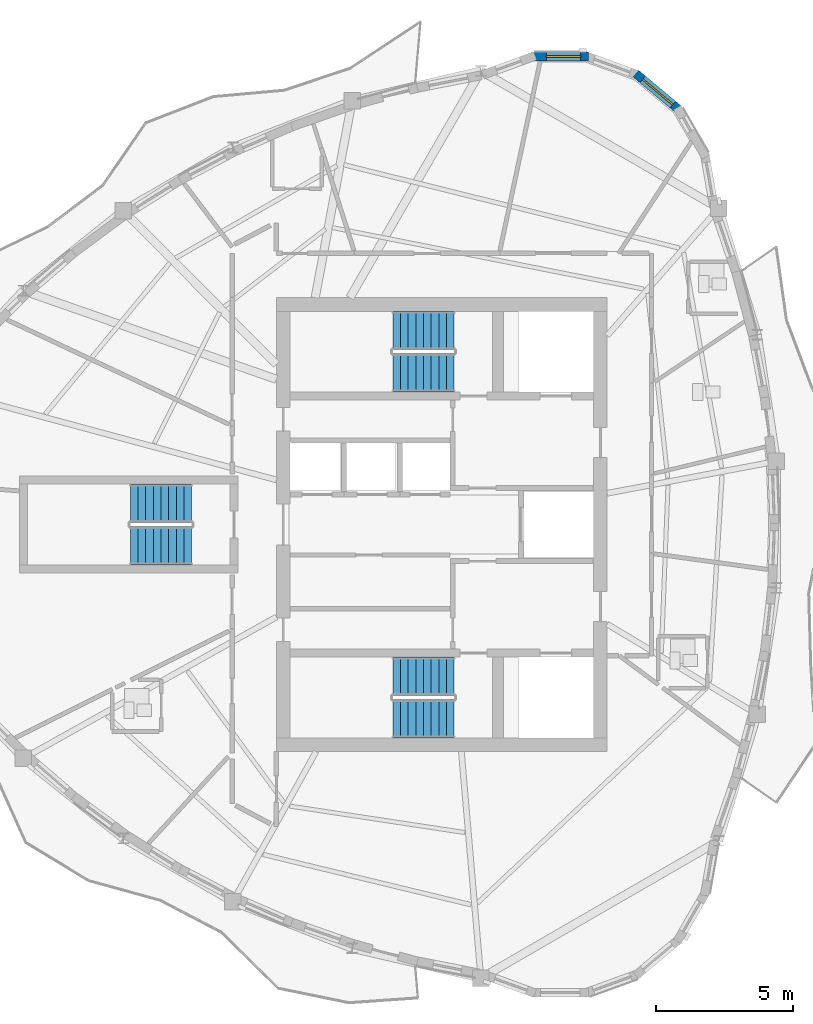
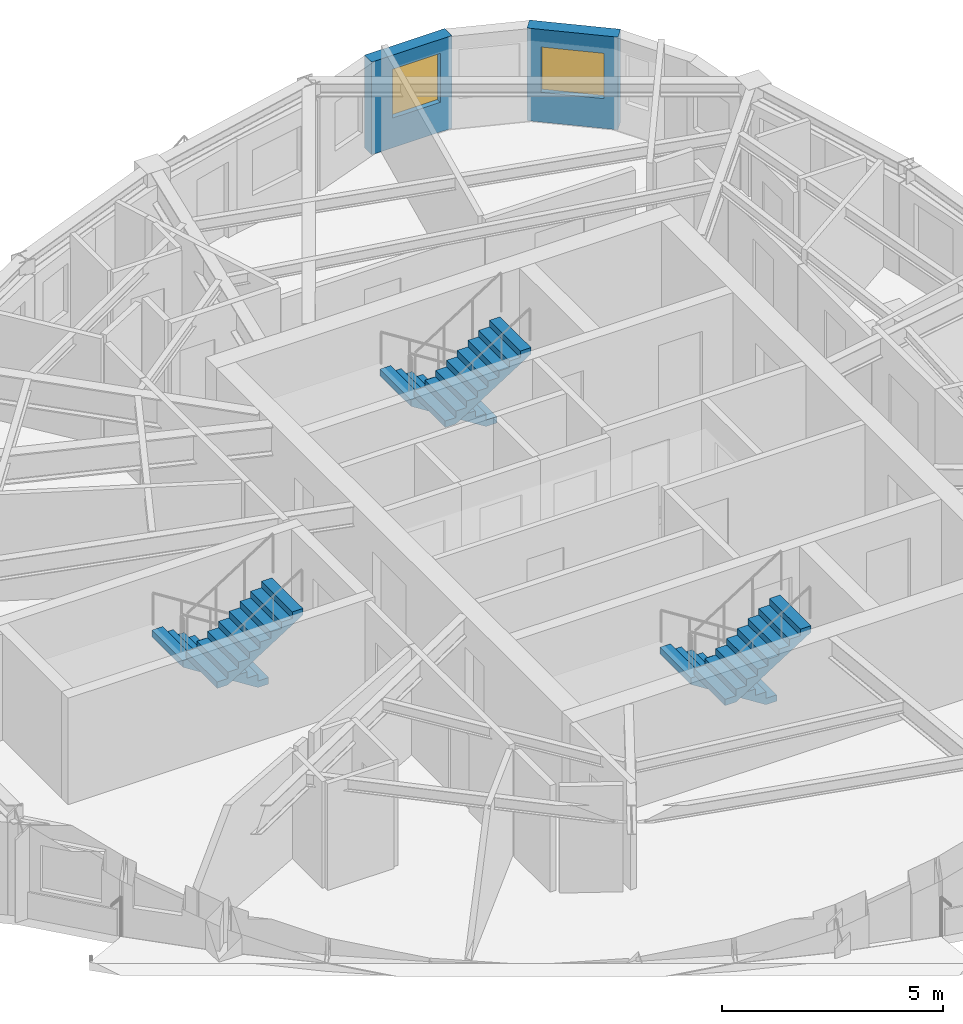
# One storey, part 8 of 12: 6 stair flights, 2 walls, 2 windows, 2 openings, 3 elements without a shape of their own.
"""IFC4 building model written with IfcOpenShell, lengths in metres."""

from ifc_helpers import new_model, si_unit, direction, frame, frame_2d, origin, place, context, subcontext, project, spatial, polyline, rectangle, outline, extrude, source, transform, mapped, material, layer, layer_set, type_object, element, fill, aggregate, save


model = new_model("IFC4")

# Units and contexts
model_context = context("Model", 3, precision=1e-05, world=origin(), true_north=direction((0.0, 1.0)))
body_context = subcontext(model_context, "Body", "Model", "MODEL_VIEW")
ifc_project = project(units=[si_unit("LENGTHUNIT", "METRE"), si_unit("AREAUNIT", "SQUARE_METRE"), si_unit("VOLUMEUNIT", "CUBIC_METRE"), si_unit("PLANEANGLEUNIT", "RADIAN"), si_unit("MASSUNIT", "GRAM", prefix="KILO")], contexts=[model_context])

# Site, building, storey
site_placement = place(None, origin())
site = spatial("IfcSite", under=ifc_project, at=site_placement, CompositionType="ELEMENT")
building_placement = place(site_placement, origin())
building = spatial("IfcBuilding", under=site, at=building_placement, Name="Qafzar Sky-Pleat Residences", CompositionType="ELEMENT")
storey_placement = place(building_placement, frame((0.0, 0.0, 202.0)))
storey = spatial("IfcBuildingStorey", under=building, at=storey_placement, Name="L60", CompositionType="ELEMENT", Elevation=202.0)

# Wall, opening, window
ifc_material_1 = material(Name="Precast concrete C40/50 with honed Riyadh limestone", Category="concrete")
ifc_layer = layer(ifc_material_1, 0.320068359375)
ifc_layer_set = layer_set([ifc_layer], Name="Precast concrete C40/50 with honed Riyadh limestone")
wall_type = type_object("IfcWallType", Name="WALL-EXT-320", PredefinedType="SOLIDWALL", material=ifc_layer_set)
wall_1_placement = place(storey_placement, frame((39.04931640625, 41.1513671875, 0.0), z_axis=(0.0, 0.0, 1.0), x_axis=(-0.766082082368, 0.642742750308, 0.0)))
wall_1 = element("IfcWall", 1, at=wall_1_placement, inside=storey, type_object=wall_type, Name="L60 Limestone Facade Wall 35", PredefinedType="SOLIDWALL", context=body_context, shape_type="SweptSolid", body=[
    extrude(rectangle(XDim=2.09033203125, YDim=0.320068359375, at=frame_2d((1.045166015625, 0.0))), origin(), (0.0, 0.0, 1.0), 2.554931640625),
])
opening_1_placement = place(wall_1_placement, frame((0.3203125, 0.0, 0.820068359375)))
opening_1 = element("IfcOpeningElement", 2, at=opening_1_placement, cuts=wall_1, Name="Opening WN-15", PredefinedType="OPENING", context=body_context, shape_type="SweptSolid", body=[
    extrude(rectangle(XDim=1.449951171875, YDim=1.25, at=frame_2d((0.72509765625, 0.625))), frame((0.0, 0.169921875, 0.0), z_axis=(0.0, -1.0, 0.0), x_axis=(1.0, 0.0, 0.0)), (0.0, 0.0, 1.0), 0.340087890625),
])
ifc_material_2 = material(Name="Solar-control low-E glass in bronze aluminium frame", Category="glass")
window_type_1 = type_object("IfcWindowType", Name="WIN-15", PartitioningType="SINGLE_PANEL", PredefinedType="WINDOW", material=ifc_material_2)
shared_shape_1 = source(origin(), body_context, "Body", "SweptSolid", [
    extrude(rectangle(XDim=1.449951171875, YDim=1.25, at=frame_2d((0.72509765625, 0.625))), frame((0.0, 0.030029296875, 0.0), z_axis=(0.0, -1.0, 0.0), x_axis=(1.0, 0.0, 0.0)), (0.0, 0.0, 1.0), 0.06005859375),
])
window_1_placement = place(opening_1_placement, origin())
window_1 = element("IfcWindow", 3, at=window_1_placement, inside=storey, type_object=window_type_1, Name="L60 Punched Facade Window 35", OverallHeight=1.25, OverallWidth=1.449951171875, PartitioningType="SINGLE_PANEL", PredefinedType="WINDOW", context=body_context, shape_type="MappedRepresentation", body=[
    mapped(shared_shape_1, transform((0.0, 0.0, 0.0), x_axis=(1.0, 0.0, 0.0), y_axis=(0.0, 1.0, 0.0), z_axis=(0.0, 0.0, 1.0), scale=1.0)),
])
fill(opening_1, window_1)

wall_2_placement = place(storey_placement, frame((35.72509765625, 43.1220703125, 0.0), z_axis=(0.0, 0.0, 1.0), x_axis=(-1.0, 0.0, 0.0)))
wall_2 = element("IfcWall", 4, at=wall_2_placement, inside=storey, type_object=wall_type, Name="L60 Limestone Facade Wall 37", PredefinedType="SOLIDWALL", context=body_context, shape_type="SweptSolid", body=[
    extrude(rectangle(XDim=2.09033203125, YDim=0.320068359375, at=frame_2d((1.045166015625, 0.0))), origin(), (0.0, 0.0, 1.0), 2.554931640625),
])
opening_2_placement = place(wall_2_placement, frame((0.300537109375, 0.0, 0.820068359375)))
opening_2 = element("IfcOpeningElement", 5, at=opening_2_placement, cuts=wall_2, Name="Opening WN-11", PredefinedType="OPENING", context=body_context, shape_type="SweptSolid", body=[
    extrude(rectangle(XDim=1.25, YDim=1.35009765625, at=frame_2d((0.625, 0.675048828125))), frame((0.0, 0.169921875, 0.0), z_axis=(0.0, -1.0, 0.0), x_axis=(1.0, 0.0, 0.0)), (0.0, 0.0, 1.0), 0.340087890625),
])
window_type_2 = type_object("IfcWindowType", Name="WIN-11", PartitioningType="SINGLE_PANEL", PredefinedType="WINDOW", material=ifc_material_2)
shared_shape_2 = source(origin(), body_context, "Body", "SweptSolid", [
    extrude(rectangle(XDim=1.25, YDim=1.35009765625, at=frame_2d((0.625, 0.675048828125))), frame((0.0, 0.030029296875, 0.0), z_axis=(0.0, -1.0, 0.0), x_axis=(1.0, 0.0, 0.0)), (0.0, 0.0, 1.0), 0.06005859375),
])
window_2_placement = place(opening_2_placement, origin())
window_2 = element("IfcWindow", 6, at=window_2_placement, inside=storey, type_object=window_type_2, Name="L60 Punched Facade Window 37", OverallHeight=1.35009765625, OverallWidth=1.25, PartitioningType="SINGLE_PANEL", PredefinedType="WINDOW", context=body_context, shape_type="MappedRepresentation", body=[
    mapped(shared_shape_2, transform((0.0, 0.0, 0.0), x_axis=(1.0, 0.0, 0.0), y_axis=(0.0, 1.0, 0.0), z_axis=(0.0, 0.0, 1.0), scale=1.0)),
])
fill(opening_2, window_2)

# Stair, stair flights
ifc_material_3 = material(Name="Concrete C40/50", Category="concrete")
stair_type = type_object("IfcStairType", Name="STAIR-H320", PredefinedType="HALF_TURN_STAIR", material=ifc_material_3)
stair_1_placement = place(storey_placement, origin())
stair_1 = element("IfcStair", 7, at=stair_1_placement, inside=storey, type_object=stair_type, Name="L60 Protected Exit Stair ST1", PredefinedType="HALF_TURN_STAIR")
stair_flight_type = type_object("IfcStairFlightType", Name="FLIGHT-H320", PredefinedType="STRAIGHT", material=ifc_material_3)
shared_shape_3 = source(origin(), body_context, "Body", "SweptSolid", [
    extrude(outline(polyline([(0.0, 0.0), (0.0, 0.177734375), (0.280029296875, 0.177734375), (0.280029296875, 0.35546875), (0.56005859375, 0.35546875), (0.56005859375, 0.533447265625), (0.840087890625, 0.533447265625), (0.840087890625, 0.711181640625), (1.1201171875, 0.711181640625), (1.1201171875, 0.888916015625), (1.39990234375, 0.888916015625), (1.39990234375, 1.066650390625), (1.679931640625, 1.066650390625), (1.679931640625, 1.244384765625), (1.9599609375, 1.244384765625), (1.9599609375, 1.422119140625), (2.239990234375, 1.422119140625), (2.239990234375, 1.60009765625), (2.239990234375, 1.24462890625), (0.27978515625, 0.0), (0.0, 0.0)])), frame((0.0, 0.699951171875, 0.0), z_axis=(0.0, -1.0, 0.0), x_axis=(1.0, 0.0, 0.0)), (0.0, 0.0, 1.0), 1.39990234375),
])
stair_flight_1_placement = place(storey_placement, frame((30.800048828125, 20.449951171875, 0.0), z_axis=(0.0, 0.0, 1.0), x_axis=(-1.0, 0.0, 0.0)))
stair_flight_1 = element("IfcStairFlight", 8, at=stair_flight_1_placement, type_object=stair_flight_type, Name="ST1 flight 1", NumberOfRisers=9, NumberOfTreads=8, PredefinedType="STRAIGHT", RiserHeight=0.177777778, TreadLength=0.28, context=body_context, shape_type="MappedRepresentation", body=[
    mapped(shared_shape_3, transform((0.0, 0.0, 0.0), x_axis=(1.0, 0.0, 0.0), y_axis=(0.0, 1.0, 0.0), z_axis=(0.0, 0.0, 1.0), scale=1.0)),
])
stair_flight_2_placement = place(storey_placement, frame((28.56005859375, 18.89990234375, 1.60009765625), z_axis=(0.0, 0.0, 1.0), x_axis=(1.0, 0.0, 0.0)))
stair_flight_2 = element("IfcStairFlight", 9, at=stair_flight_2_placement, type_object=stair_flight_type, Name="ST1 flight 2", NumberOfRisers=9, NumberOfTreads=8, PredefinedType="STRAIGHT", RiserHeight=0.177777778, TreadLength=0.28, context=body_context, shape_type="MappedRepresentation", body=[
    mapped(shared_shape_3, transform((0.0, 0.0, 0.0), x_axis=(1.0, 0.0, 0.0), y_axis=(0.0, 1.0, 0.0), z_axis=(0.0, 0.0, 1.0), scale=1.0)),
])
aggregate(stair_1, [stair_flight_1, stair_flight_2])

stair_2_placement = place(storey_placement, origin())
stair_2 = element("IfcStair", 10, at=stair_2_placement, inside=storey, type_object=stair_type, Name="L60 Protected Exit Stair ST2", PredefinedType="HALF_TURN_STAIR")
stair_flight_3_placement = place(storey_placement, frame((30.800048828125, 33.10009765625, 0.0), z_axis=(0.0, 0.0, 1.0), x_axis=(-1.0, 0.0, 0.0)))
stair_flight_3 = element("IfcStairFlight", 11, at=stair_flight_3_placement, type_object=stair_flight_type, Name="ST2 flight 1", NumberOfRisers=9, NumberOfTreads=8, PredefinedType="STRAIGHT", RiserHeight=0.177777778, TreadLength=0.28, context=body_context, shape_type="MappedRepresentation", body=[
    mapped(shared_shape_3, transform((0.0, 0.0, 0.0), x_axis=(1.0, 0.0, 0.0), y_axis=(0.0, 1.0, 0.0), z_axis=(0.0, 0.0, 1.0), scale=1.0)),
])
stair_flight_4_placement = place(storey_placement, frame((28.56005859375, 31.550048828125, 1.60009765625), z_axis=(0.0, 0.0, 1.0), x_axis=(1.0, 0.0, 0.0)))
stair_flight_4 = element("IfcStairFlight", 12, at=stair_flight_4_placement, type_object=stair_flight_type, Name="ST2 flight 2", NumberOfRisers=9, NumberOfTreads=8, PredefinedType="STRAIGHT", RiserHeight=0.177777778, TreadLength=0.28, context=body_context, shape_type="MappedRepresentation", body=[
    mapped(shared_shape_3, transform((0.0, 0.0, 0.0), x_axis=(1.0, 0.0, 0.0), y_axis=(0.0, 1.0, 0.0), z_axis=(0.0, 0.0, 1.0), scale=1.0)),
])
aggregate(stair_2, [stair_flight_3, stair_flight_4])

stair_3_placement = place(storey_placement, origin())
stair_3 = element("IfcStair", 13, at=stair_3_placement, inside=storey, type_object=stair_type, Name="L60 Protected Exit Stair ST3", PredefinedType="HALF_TURN_STAIR")
stair_flight_5_placement = place(storey_placement, frame((21.199951171875, 26.77490234375, 0.0), z_axis=(0.0, 0.0, 1.0), x_axis=(-1.0, 0.0, 0.0)))
stair_flight_5 = element("IfcStairFlight", 14, at=stair_flight_5_placement, type_object=stair_flight_type, Name="ST3 flight 1", NumberOfRisers=9, NumberOfTreads=8, PredefinedType="STRAIGHT", RiserHeight=0.177777778, TreadLength=0.28, context=body_context, shape_type="MappedRepresentation", body=[
    mapped(shared_shape_3, transform((0.0, 0.0, 0.0), x_axis=(1.0, 0.0, 0.0), y_axis=(0.0, 1.0, 0.0), z_axis=(0.0, 0.0, 1.0), scale=1.0)),
])
stair_flight_6_placement = place(storey_placement, frame((18.9599609375, 25.22509765625, 1.60009765625), z_axis=(0.0, 0.0, 1.0), x_axis=(1.0, 0.0, 0.0)))
stair_flight_6 = element("IfcStairFlight", 15, at=stair_flight_6_placement, type_object=stair_flight_type, Name="ST3 flight 2", NumberOfRisers=9, NumberOfTreads=8, PredefinedType="STRAIGHT", RiserHeight=0.177777778, TreadLength=0.28, context=body_context, shape_type="MappedRepresentation", body=[
    mapped(shared_shape_3, transform((0.0, 0.0, 0.0), x_axis=(1.0, 0.0, 0.0), y_axis=(0.0, 1.0, 0.0), z_axis=(0.0, 0.0, 1.0), scale=1.0)),
])
aggregate(stair_3, [stair_flight_5, stair_flight_6])

save(model, "model.ifc")
